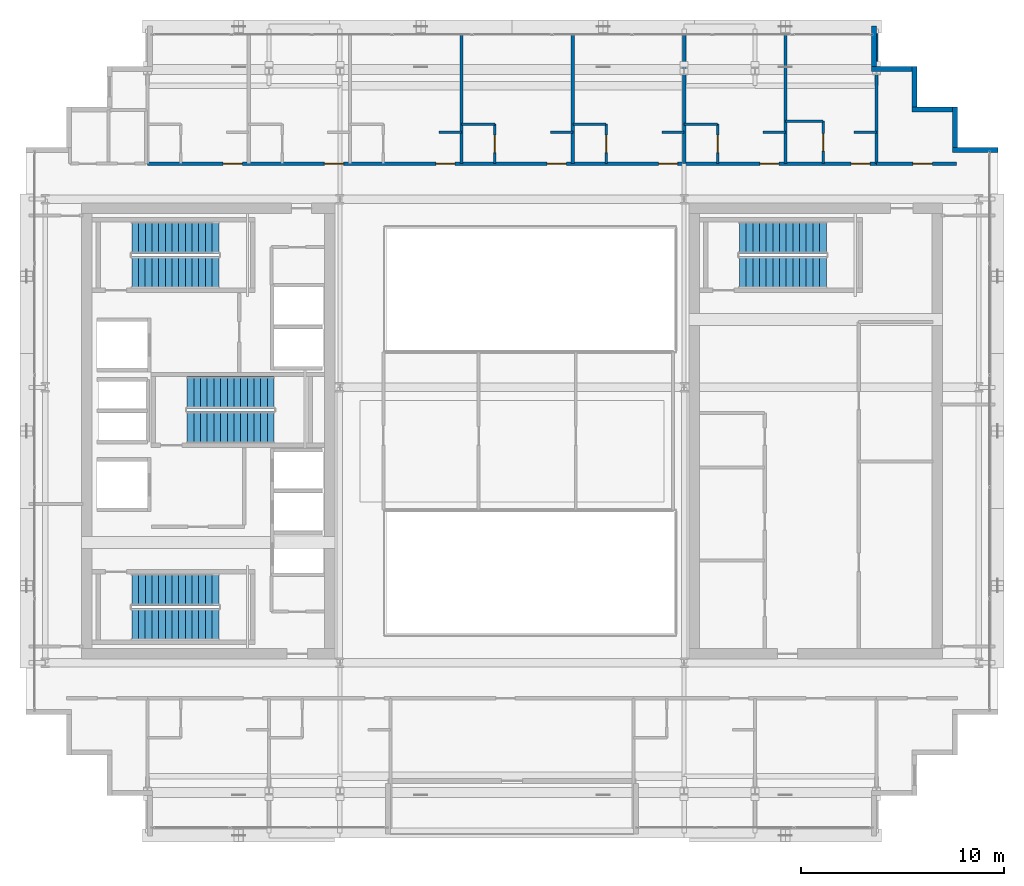
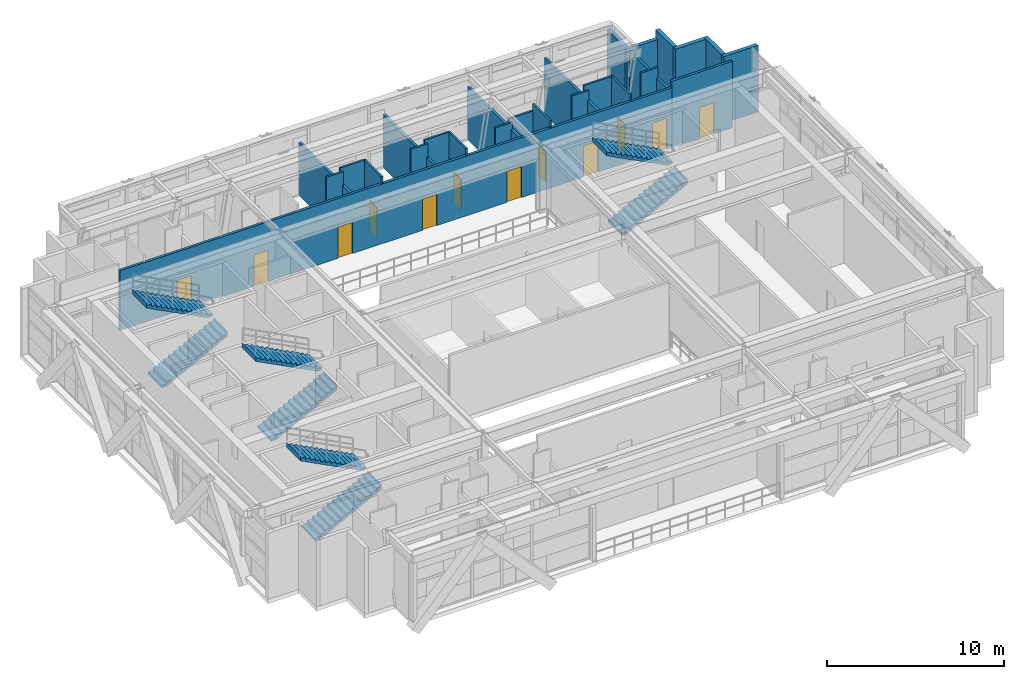
# One storey, part 27 of 31: 26 walls, 12 doors, 8 stair flights, 12 openings, 4 elements without a shape of their own.
"""IFC4 building model written with IfcOpenShell, lengths in metres."""

from ifc_helpers import new_model, si_unit, direction, frame, frame_2d, origin, place, context, subcontext, project, spatial, polyline, rectangle, outline, extrude, source, transform, mapped, material, layer, layer_set, type_object, element, fill, aggregate, save


model = new_model("IFC4")

# Units and contexts
model_context = context("Model", 3, precision=1e-05, world=origin(), true_north=direction((0.0, 1.0)))
body_context = subcontext(model_context, "Body", "Model", "MODEL_VIEW")
ifc_project = project(units=[si_unit("LENGTHUNIT", "METRE"), si_unit("AREAUNIT", "SQUARE_METRE"), si_unit("VOLUMEUNIT", "CUBIC_METRE"), si_unit("PLANEANGLEUNIT", "RADIAN"), si_unit("MASSUNIT", "GRAM", prefix="KILO")], contexts=[model_context])

# Site, building, storey
site_placement = place(None, origin())
site = spatial("IfcSite", under=ifc_project, at=site_placement, CompositionType="ELEMENT")
building_placement = place(site_placement, origin())
building = spatial("IfcBuilding", under=site, at=building_placement, Name="Ocotamira Hotel", CompositionType="ELEMENT")
storey_placement = place(building_placement, frame((0.0, 0.0, 228.0)))
storey = spatial("IfcBuildingStorey", under=building, at=storey_placement, Name="L57", CompositionType="ELEMENT", Elevation=228.0)

# Walls
ifc_material_1 = material(Name="Precast concrete C45/55", Category="concrete")
ifc_layer_1 = layer(ifc_material_1, 0.25)
ifc_layer_set_1 = layer_set([ifc_layer_1], Name="Precast concrete C45/55")
wall_type_1 = type_object("IfcWallType", Name="WL-EXT-SER-250", PredefinedType="SOLIDWALL", material=ifc_layer_set_1)
wall_1_placement = place(storey_placement, frame((56.0, 39.875, 0.0), z_axis=(0.0, 0.0, 1.0), x_axis=(-1.0, 0.0, 0.0)))
element("IfcWall", 1, at=wall_1_placement, inside=storey, type_object=wall_type_1, Name="L57 Serrated Corner Wall 07", PredefinedType="SOLIDWALL", context=body_context, shape_type="SweptSolid", body=[
    extrude(rectangle(XDim=2.25, YDim=0.25, at=frame_2d((1.125, 0.0))), origin(), (0.0, 0.0, 1.0), 4.580078125),
])
for number, where, z_axis, x_axis, name in (
    (2, (53.875, 40.0, 0.0), (0.0, 0.0, 1.0), (0.0, 1.0, 0.0), "L57 Serrated Corner Wall 08"),
    (3, (53.75, 41.875, 0.0), (0.0, 0.0, 1.0), (-1.0, 0.0, 0.0), "L57 Serrated Corner Wall 09"),
    (4, (51.875, 42.0, 0.0), (0.0, 0.0, 1.0), (0.0, 1.0, 0.0), "L57 Serrated Corner Wall 10"),
):
    element("IfcWall", number, at=place(storey_placement, frame(where, z_axis=z_axis, x_axis=x_axis)), inside=storey, type_object=wall_type_1, Name=name, PredefinedType="SOLIDWALL", context=body_context, shape_type="SweptSolid", body=[
        extrude(rectangle(XDim=2.0, YDim=0.25, at=frame_2d((1.0, 0.0))), origin(), (0.0, 0.0, 1.0), 4.580078125),
    ])
for number, where, z_axis, x_axis, name in (
    (5, (51.75, 43.875, 0.0), (0.0, 0.0, 1.0), (-1.0, 0.0, 0.0), "L57 Serrated Corner Wall 11"),
    (6, (49.875, 44.0, 0.0), (0.0, 0.0, 1.0), (0.0, 1.0, 0.0), "L57 Serrated Corner Wall 12"),
):
    element("IfcWall", number, at=place(storey_placement, frame(where, z_axis=z_axis, x_axis=x_axis)), inside=storey, type_object=wall_type_1, Name=name, PredefinedType="SOLIDWALL", context=body_context, shape_type="SweptSolid", body=[
        extrude(rectangle(XDim=2.0, YDim=0.25, at=frame_2d((1.0, 0.0))), origin(), (0.0, 0.0, 1.0), 4.04296875),
    ])

# Wall, openings, doors
ifc_material_2 = material(Name="Acoustic double-layer fire gypsum board partition", Category="gypsum")
ifc_layer_2 = layer(ifc_material_2, 0.159912109375)
ifc_layer_set_2 = layer_set([ifc_layer_2], Name="Acoustic double-layer fire gypsum board partition")
wall_type_2 = type_object("IfcWallType", Name="WL-FIRE-160", PredefinedType="PARTITIONING", material=ifc_layer_set_2)
wall_2_placement = place(storey_placement, frame((14.0, 39.199951171875, 0.0), z_axis=(0.0, 0.0, 1.0), x_axis=(1.0, 0.0, 0.0)))
wall_2 = element("IfcWall", 7, at=wall_2_placement, inside=storey, type_object=wall_type_2, Name="L57 Interior Wall PW-L57-L57N-CORRW", PredefinedType="PARTITIONING", context=body_context, shape_type="SweptSolid", body=[
    extrude(rectangle(XDim=36.0, YDim=0.159912109375, at=frame_2d((18.0, 0.0))), origin(), (0.0, 0.0, 1.0), 4.123046875),
])
opening_1_placement = place(wall_2_placement, frame((3.739990234375, 0.0, 0.0)))
opening_1 = element("IfcOpeningElement", 8, at=opening_1_placement, cuts=wall_2, Name="Opening D-GR1", PredefinedType="OPENING", context=body_context, shape_type="SweptSolid", body=[
    extrude(rectangle(XDim=0.93994140625, YDim=2.14990234375, at=frame_2d((0.469970703125, 1.074951171875))), frame((0.0, 0.08984375, 0.0), z_axis=(0.0, -1.0, 0.0), x_axis=(1.0, 0.0, 0.0)), (0.0, 0.0, 1.0), 0.179931640625),
])
opening_2_placement = place(wall_2_placement, frame((8.739990234375, 0.0, 0.0)))
opening_2 = element("IfcOpeningElement", 9, at=opening_2_placement, cuts=wall_2, Name="Opening D-GR1", PredefinedType="OPENING", context=body_context, shape_type="SweptSolid", body=[
    extrude(rectangle(XDim=0.93994140625, YDim=2.14990234375, at=frame_2d((0.469970703125, 1.074951171875))), frame((0.0, 0.08984375, 0.0), z_axis=(0.0, -1.0, 0.0), x_axis=(1.0, 0.0, 0.0)), (0.0, 0.0, 1.0), 0.179931640625),
])
opening_3_placement = place(wall_2_placement, frame((14.239990234375, 0.0, 0.0)))
opening_3 = element("IfcOpeningElement", 10, at=opening_3_placement, cuts=wall_2, Name="Opening D-GR1", PredefinedType="OPENING", context=body_context, shape_type="SweptSolid", body=[
    extrude(rectangle(XDim=0.93994140625, YDim=2.14990234375, at=frame_2d((0.469970703125, 1.074951171875))), frame((0.0, 0.08984375, 0.0), z_axis=(0.0, -1.0, 0.0), x_axis=(1.0, 0.0, 0.0)), (0.0, 0.0, 1.0), 0.179931640625),
])
opening_4_placement = place(wall_2_placement, frame((19.739990234375, 0.0, 0.0)))
opening_4 = element("IfcOpeningElement", 11, at=opening_4_placement, cuts=wall_2, Name="Opening D-GR1", PredefinedType="OPENING", context=body_context, shape_type="SweptSolid", body=[
    extrude(rectangle(XDim=0.93994140625, YDim=2.14990234375, at=frame_2d((0.469970703125, 1.074951171875))), frame((0.0, 0.08984375, 0.0), z_axis=(0.0, -1.0, 0.0), x_axis=(1.0, 0.0, 0.0)), (0.0, 0.0, 1.0), 0.179931640625),
])
opening_5_placement = place(wall_2_placement, frame((25.239990234375, 0.0, 0.0)))
opening_5 = element("IfcOpeningElement", 12, at=opening_5_placement, cuts=wall_2, Name="Opening D-GR1", PredefinedType="OPENING", context=body_context, shape_type="SweptSolid", body=[
    extrude(rectangle(XDim=0.93994140625, YDim=2.14990234375, at=frame_2d((0.469970703125, 1.074951171875))), frame((0.0, 0.08984375, 0.0), z_axis=(0.0, -1.0, 0.0), x_axis=(1.0, 0.0, 0.0)), (0.0, 0.0, 1.0), 0.179931640625),
])
opening_6_placement = place(wall_2_placement, frame((30.239990234375, 0.0, 0.0)))
opening_6 = element("IfcOpeningElement", 13, at=opening_6_placement, cuts=wall_2, Name="Opening D-GR1", PredefinedType="OPENING", context=body_context, shape_type="SweptSolid", body=[
    extrude(rectangle(XDim=0.93994140625, YDim=2.14990234375, at=frame_2d((0.469970703125, 1.074951171875))), frame((0.0, 0.08984375, 0.0), z_axis=(0.0, -1.0, 0.0), x_axis=(1.0, 0.0, 0.0)), (0.0, 0.0, 1.0), 0.179931640625),
])
opening_7_placement = place(wall_2_placement, frame((34.739990234375, 0.0, 0.0)))
opening_7 = element("IfcOpeningElement", 14, at=opening_7_placement, cuts=wall_2, Name="Opening D-GR1", PredefinedType="OPENING", context=body_context, shape_type="SweptSolid", body=[
    extrude(rectangle(XDim=0.93994140625, YDim=2.14990234375, at=frame_2d((0.469970703125, 1.074951171875))), frame((0.0, 0.08984375, 0.0), z_axis=(0.0, -1.0, 0.0), x_axis=(1.0, 0.0, 0.0)), (0.0, 0.0, 1.0), 0.179931640625),
])
ifc_material_3 = material(Name="Solid-core walnut suite entrance fire door", Category="wood")
door_type_1 = type_object("IfcDoorType", Name="DR-GUEST-940", OperationType="NOTDEFINED", PredefinedType="DOOR", material=ifc_material_3)
shared_shape_1 = source(origin(), body_context, "Body", "SweptSolid", [
    extrude(rectangle(XDim=0.93994140625, YDim=2.14990234375, at=frame_2d((0.469970703125, 1.074951171875))), frame((0.0, 0.02490234375, 0.0), z_axis=(0.0, -1.0, 0.0), x_axis=(1.0, 0.0, 0.0)), (0.0, 0.0, 1.0), 0.050048828125),
])
door_1_placement = place(opening_1_placement, origin())
door_1 = element("IfcDoor", 15, at=door_1_placement, inside=storey, type_object=door_type_1, Name="L57 Door ID-L57-L57N-RMD1 [ID-L57-L57N-RMD1]", OperationType="SINGLE_SWING_LEFT", OverallHeight=2.14990234375, OverallWidth=0.93994140625, PredefinedType="DOOR", context=body_context, shape_type="MappedRepresentation", body=[
    mapped(shared_shape_1, transform((0.0, 0.0, 0.0), scale=1.0)),
])
fill(opening_1, door_1)
door_2_placement = place(opening_2_placement, origin())
door_2 = element("IfcDoor", 16, at=door_2_placement, inside=storey, type_object=door_type_1, Name="L57 Door ID-L57-L57N-RMD2 [ID-L57-L57N-RMD2]", OperationType="SINGLE_SWING_RIGHT", OverallHeight=2.14990234375, OverallWidth=0.93994140625, PredefinedType="DOOR", context=body_context, shape_type="MappedRepresentation", body=[
    mapped(shared_shape_1, transform((0.0, 0.0, 0.0), scale=1.0)),
])
fill(opening_2, door_2)
door_3_placement = place(opening_3_placement, origin())
door_3 = element("IfcDoor", 17, at=door_3_placement, inside=storey, type_object=door_type_1, Name="L57 Door ID-L57-L57N-RMD3 [ID-L57-L57N-RMD3]", OperationType="SINGLE_SWING_LEFT", OverallHeight=2.14990234375, OverallWidth=0.93994140625, PredefinedType="DOOR", context=body_context, shape_type="MappedRepresentation", body=[
    mapped(shared_shape_1, transform((0.0, 0.0, 0.0), scale=1.0)),
])
fill(opening_3, door_3)
door_4_placement = place(opening_4_placement, origin())
door_4 = element("IfcDoor", 18, at=door_4_placement, inside=storey, type_object=door_type_1, Name="L57 Door ID-L57-L57N-RMD4 [ID-L57-L57N-RMD4]", OperationType="SINGLE_SWING_RIGHT", OverallHeight=2.14990234375, OverallWidth=0.93994140625, PredefinedType="DOOR", context=body_context, shape_type="MappedRepresentation", body=[
    mapped(shared_shape_1, transform((0.0, 0.0, 0.0), scale=1.0)),
])
fill(opening_4, door_4)
door_5_placement = place(opening_5_placement, origin())
door_5 = element("IfcDoor", 19, at=door_5_placement, inside=storey, type_object=door_type_1, Name="L57 Door ID-L57-L57N-RMD5 [ID-L57-L57N-RMD5]", OperationType="SINGLE_SWING_LEFT", OverallHeight=2.14990234375, OverallWidth=0.93994140625, PredefinedType="DOOR", context=body_context, shape_type="MappedRepresentation", body=[
    mapped(shared_shape_1, transform((0.0, 0.0, 0.0), scale=1.0)),
])
fill(opening_5, door_5)
door_6_placement = place(opening_6_placement, origin())
door_6 = element("IfcDoor", 20, at=door_6_placement, inside=storey, type_object=door_type_1, Name="L57 Door ID-L57-L57N-RMD6 [ID-L57-L57N-RMD6]", OperationType="SINGLE_SWING_RIGHT", OverallHeight=2.14990234375, OverallWidth=0.93994140625, PredefinedType="DOOR", context=body_context, shape_type="MappedRepresentation", body=[
    mapped(shared_shape_1, transform((0.0, 0.0, 0.0), scale=1.0)),
])
fill(opening_6, door_6)
door_7_placement = place(opening_7_placement, origin())
door_7 = element("IfcDoor", 21, at=door_7_placement, inside=storey, type_object=door_type_1, Name="L57 Door ID-L57-L57N-RMD7 [ID-L57-L57N-RMD7]", OperationType="SINGLE_SWING_LEFT", OverallHeight=2.14990234375, OverallWidth=0.93994140625, PredefinedType="DOOR", context=body_context, shape_type="MappedRepresentation", body=[
    mapped(shared_shape_1, transform((0.0, 0.0, 0.0), scale=1.0)),
])
fill(opening_7, door_7)

# Wall, opening, door
wall_3_placement = place(storey_placement, frame((50.0, 39.199951171875, 0.0), z_axis=(0.0, 0.0, 1.0), x_axis=(1.0, 0.0, 0.0)))
wall_3 = element("IfcWall", 22, at=wall_3_placement, inside=storey, type_object=wall_type_2, Name="L57 Interior Wall PW-L57-L57-CNESW", PredefinedType="PARTITIONING", context=body_context, shape_type="SweptSolid", body=[
    extrude(rectangle(XDim=3.949951171875, YDim=0.159912109375, at=frame_2d((1.97509765625, 0.0))), origin(), (0.0, 0.0, 1.0), 4.580078125),
])
opening_8_placement = place(wall_3_placement, frame((1.800048828125, 0.0, 0.0)))
opening_8 = element("IfcOpeningElement", 23, at=opening_8_placement, cuts=wall_3, Name="Opening D-SV4", PredefinedType="OPENING", context=body_context, shape_type="SweptSolid", body=[
    extrude(rectangle(XDim=0.9599609375, YDim=2.14990234375, at=frame_2d((0.47998046875, 1.074951171875))), frame((0.0, 0.08984375, 0.0), z_axis=(0.0, -1.0, 0.0), x_axis=(1.0, 0.0, 0.0)), (0.0, 0.0, 1.0), 0.179931640625),
])
ifc_material_4 = material(Name="Fire-rated accessible walnut salon door", Category="wood")
door_type_2 = type_object("IfcDoorType", Name="DR-SERV-960", OperationType="NOTDEFINED", PredefinedType="DOOR", material=ifc_material_4)
shared_shape_2 = source(origin(), body_context, "Body", "SweptSolid", [
    extrude(rectangle(XDim=0.9599609375, YDim=2.14990234375, at=frame_2d((0.47998046875, 1.074951171875))), frame((0.0, 0.02490234375, 0.0), z_axis=(0.0, -1.0, 0.0), x_axis=(1.0, 0.0, 0.0)), (0.0, 0.0, 1.0), 0.050048828125),
])
door_8_placement = place(opening_8_placement, origin())
door_8 = element("IfcDoor", 24, at=door_8_placement, inside=storey, type_object=door_type_2, Name="L57 Door ID-L57-L57-CNESD [ID-L57-L57-CNESD]", OperationType="SINGLE_SWING_LEFT", OverallHeight=2.14990234375, OverallWidth=0.9599609375, PredefinedType="DOOR", context=body_context, shape_type="MappedRepresentation", body=[
    mapped(shared_shape_2, transform((0.0, 0.0, 0.0), scale=1.0)),
])
fill(opening_8, door_8)

# Wall
ifc_material_5 = material(Name="Moisture-resistant en-suite tile and gypsum partition", Category="gypsum")
ifc_layer_3 = layer(ifc_material_5, 0.1201171875)
ifc_layer_set_3 = layer_set([ifc_layer_3], Name="Moisture-resistant en-suite tile and gypsum partition")
wall_type_3 = type_object("IfcWallType", Name="WL-PART-120", PredefinedType="PARTITIONING", material=ifc_layer_set_3)
wall_4_placement = place(storey_placement, frame((28.39990234375, 40.75, 0.0), z_axis=(0.0, 0.0, 1.0), x_axis=(1.0, 0.0, 0.0)))
element("IfcWall", 25, at=wall_4_placement, inside=storey, type_object=wall_type_3, Name="L57 Interior Wall PW-L57-L57N-DRN3", PredefinedType="PARTITIONING", context=body_context, shape_type="SweptSolid", body=[
    extrude(rectangle(XDim=1.10009765625, YDim=0.1201171875, at=frame_2d((0.550048828125, 0.0))), origin(), (0.0, 0.0, 1.0), 4.580078125),
])

# Wall, opening, door
wall_5_placement = place(storey_placement, frame((31.14990234375, 39.199951171875, 0.0), z_axis=(0.0, 0.0, 1.0), x_axis=(0.0, 1.0, 0.0)))
wall_5 = element("IfcWall", 26, at=wall_5_placement, inside=storey, type_object=wall_type_3, Name="L57 Interior Wall PW-L57-L57N-BAE4", PredefinedType="PARTITIONING", context=body_context, shape_type="SweptSolid", body=[
    extrude(rectangle(XDim=1.949951171875, YDim=0.1201171875, at=frame_2d((0.97509765625, 0.0))), origin(), (0.0, 0.0, 1.0), 4.580078125),
])
opening_9_placement = place(wall_5_placement, frame((0.544921875, 0.0, 0.0)))
opening_9 = element("IfcOpeningElement", 27, at=opening_9_placement, cuts=wall_5, Name="Opening D-BA1", PredefinedType="OPENING", context=body_context, shape_type="SweptSolid", body=[
    extrude(rectangle(XDim=0.860107421875, YDim=2.10009765625, at=frame_2d((0.43017578125, 1.050048828125))), frame((0.0, 0.070068359375, 0.0), z_axis=(0.0, -1.0, 0.0), x_axis=(1.0, 0.0, 0.0)), (0.0, 0.0, 1.0), 0.14013671875),
])
ifc_material_6 = material(Name="Moisture-sealed en-suite timber door", Category="wood")
door_type_3 = type_object("IfcDoorType", Name="DR-BATH-860", OperationType="NOTDEFINED", PredefinedType="DOOR", material=ifc_material_6)
shared_shape_3 = source(origin(), body_context, "Body", "SweptSolid", [
    extrude(rectangle(XDim=0.860107421875, YDim=2.10009765625, at=frame_2d((0.43017578125, 1.050048828125))), frame((0.0, 0.02490234375, 0.0), z_axis=(0.0, -1.0, 0.0), x_axis=(1.0, 0.0, 0.0)), (0.0, 0.0, 1.0), 0.050048828125),
])
door_9_placement = place(opening_9_placement, origin())
door_9 = element("IfcDoor", 28, at=door_9_placement, inside=storey, type_object=door_type_3, Name="L57 Door ID-L57-L57N-BAD4 [ID-L57-L57N-BAD4]", OperationType="SINGLE_SWING_LEFT", OverallHeight=2.10009765625, OverallWidth=0.860107421875, PredefinedType="DOOR", context=body_context, shape_type="MappedRepresentation", body=[
    mapped(shared_shape_3, transform((0.0, 0.0, 0.0), scale=1.0)),
])
fill(opening_9, door_9)

# Walls
wall_6_placement = place(storey_placement, frame((29.5, 41.14990234375, 0.0), z_axis=(0.0, 0.0, 1.0), x_axis=(1.0, 0.0, 0.0)))
element("IfcWall", 29, at=wall_6_placement, inside=storey, type_object=wall_type_3, Name="L57 Interior Wall PW-L57-L57N-BAN4", PredefinedType="PARTITIONING", context=body_context, shape_type="SweptSolid", body=[
    extrude(rectangle(XDim=1.64990234375, YDim=0.1201171875, at=frame_2d((0.824951171875, 0.0))), origin(), (0.0, 0.0, 1.0), 4.580078125),
])
wall_7_placement = place(storey_placement, frame((33.89990234375, 40.75, 0.0), z_axis=(0.0, 0.0, 1.0), x_axis=(1.0, 0.0, 0.0)))
element("IfcWall", 30, at=wall_7_placement, inside=storey, type_object=wall_type_3, Name="L57 Interior Wall PW-L57-L57N-DRN4", PredefinedType="PARTITIONING", context=body_context, shape_type="SweptSolid", body=[
    extrude(rectangle(XDim=1.10009765625, YDim=0.1201171875, at=frame_2d((0.550048828125, 0.0))), origin(), (0.0, 0.0, 1.0), 4.580078125),
])

# Wall, opening, door
wall_8_placement = place(storey_placement, frame((36.64990234375, 39.199951171875, 0.0), z_axis=(0.0, 0.0, 1.0), x_axis=(0.0, 1.0, 0.0)))
wall_8 = element("IfcWall", 31, at=wall_8_placement, inside=storey, type_object=wall_type_3, Name="L57 Interior Wall PW-L57-L57N-BAE5", PredefinedType="PARTITIONING", context=body_context, shape_type="SweptSolid", body=[
    extrude(rectangle(XDim=1.949951171875, YDim=0.1201171875, at=frame_2d((0.97509765625, 0.0))), origin(), (0.0, 0.0, 1.0), 4.580078125),
])
opening_10_placement = place(wall_8_placement, frame((0.544921875, 0.0, 0.0)))
opening_10 = element("IfcOpeningElement", 32, at=opening_10_placement, cuts=wall_8, Name="Opening D-BA1", PredefinedType="OPENING", context=body_context, shape_type="SweptSolid", body=[
    extrude(rectangle(XDim=0.860107421875, YDim=2.10009765625, at=frame_2d((0.43017578125, 1.050048828125))), frame((0.0, 0.070068359375, 0.0), z_axis=(0.0, -1.0, 0.0), x_axis=(1.0, 0.0, 0.0)), (0.0, 0.0, 1.0), 0.14013671875),
])
door_10_placement = place(opening_10_placement, origin())
door_10 = element("IfcDoor", 33, at=door_10_placement, inside=storey, type_object=door_type_3, Name="L57 Door ID-L57-L57N-BAD5 [ID-L57-L57N-BAD5]", OperationType="SINGLE_SWING_RIGHT", OverallHeight=2.10009765625, OverallWidth=0.860107421875, PredefinedType="DOOR", context=body_context, shape_type="MappedRepresentation", body=[
    mapped(shared_shape_3, transform((0.0, 0.0, 0.0), scale=1.0)),
])
fill(opening_10, door_10)

# Walls
wall_9_placement = place(storey_placement, frame((35.0, 41.14990234375, 0.0), z_axis=(0.0, 0.0, 1.0), x_axis=(1.0, 0.0, 0.0)))
element("IfcWall", 34, at=wall_9_placement, inside=storey, type_object=wall_type_3, Name="L57 Interior Wall PW-L57-L57N-BAN5", PredefinedType="PARTITIONING", context=body_context, shape_type="SweptSolid", body=[
    extrude(rectangle(XDim=1.64990234375, YDim=0.1201171875, at=frame_2d((0.824951171875, 0.0))), origin(), (0.0, 0.0, 1.0), 4.580078125),
])
wall_10_placement = place(storey_placement, frame((39.39990234375, 40.75, 0.0), z_axis=(0.0, 0.0, 1.0), x_axis=(1.0, 0.0, 0.0)))
element("IfcWall", 35, at=wall_10_placement, inside=storey, type_object=wall_type_3, Name="L57 Interior Wall PW-L57-L57N-DRN5", PredefinedType="PARTITIONING", context=body_context, shape_type="SweptSolid", body=[
    extrude(rectangle(XDim=1.10009765625, YDim=0.1201171875, at=frame_2d((0.550048828125, 0.0))), origin(), (0.0, 0.0, 1.0), 4.123046875),
])

# Wall, opening, door
wall_11_placement = place(storey_placement, frame((42.14990234375, 39.199951171875, 0.0), z_axis=(0.0, 0.0, 1.0), x_axis=(0.0, 1.0, 0.0)))
wall_11 = element("IfcWall", 36, at=wall_11_placement, inside=storey, type_object=wall_type_3, Name="L57 Interior Wall PW-L57-L57N-BAE6", PredefinedType="PARTITIONING", context=body_context, shape_type="SweptSolid", body=[
    extrude(rectangle(XDim=1.949951171875, YDim=0.1201171875, at=frame_2d((0.97509765625, 0.0))), origin(), (0.0, 0.0, 1.0), 4.580078125),
])
opening_11_placement = place(wall_11_placement, frame((0.544921875, 0.0, 0.0)))
opening_11 = element("IfcOpeningElement", 37, at=opening_11_placement, cuts=wall_11, Name="Opening D-BA1", PredefinedType="OPENING", context=body_context, shape_type="SweptSolid", body=[
    extrude(rectangle(XDim=0.860107421875, YDim=2.10009765625, at=frame_2d((0.43017578125, 1.050048828125))), frame((0.0, 0.070068359375, 0.0), z_axis=(0.0, -1.0, 0.0), x_axis=(1.0, 0.0, 0.0)), (0.0, 0.0, 1.0), 0.14013671875),
])
door_11_placement = place(opening_11_placement, origin())
door_11 = element("IfcDoor", 38, at=door_11_placement, inside=storey, type_object=door_type_3, Name="L57 Door ID-L57-L57N-BAD6 [ID-L57-L57N-BAD6]", OperationType="SINGLE_SWING_LEFT", OverallHeight=2.10009765625, OverallWidth=0.860107421875, PredefinedType="DOOR", context=body_context, shape_type="MappedRepresentation", body=[
    mapped(shared_shape_3, transform((0.0, 0.0, 0.0), scale=1.0)),
])
fill(opening_11, door_11)

# Walls
wall_12_placement = place(storey_placement, frame((40.5, 41.14990234375, 0.0), z_axis=(0.0, 0.0, 1.0), x_axis=(1.0, 0.0, 0.0)))
element("IfcWall", 39, at=wall_12_placement, inside=storey, type_object=wall_type_3, Name="L57 Interior Wall PW-L57-L57N-BAN6", PredefinedType="PARTITIONING", context=body_context, shape_type="SweptSolid", body=[
    extrude(rectangle(XDim=1.64990234375, YDim=0.1201171875, at=frame_2d((0.824951171875, 0.0))), origin(), (0.0, 0.0, 1.0), 4.123046875),
])
wall_13_placement = place(storey_placement, frame((44.39990234375, 40.75, 0.0), z_axis=(0.0, 0.0, 1.0), x_axis=(1.0, 0.0, 0.0)))
element("IfcWall", 40, at=wall_13_placement, inside=storey, type_object=wall_type_3, Name="L57 Interior Wall PW-L57-L57N-DRN6", PredefinedType="PARTITIONING", context=body_context, shape_type="SweptSolid", body=[
    extrude(rectangle(XDim=1.10009765625, YDim=0.1201171875, at=frame_2d((0.550048828125, 0.0))), origin(), (0.0, 0.0, 1.0), 4.580078125),
])

# Wall, opening, door
wall_14_placement = place(storey_placement, frame((47.360107421875, 39.199951171875, 0.0), z_axis=(0.0, 0.0, 1.0), x_axis=(0.0, 1.0, 0.0)))
wall_14 = element("IfcWall", 41, at=wall_14_placement, inside=storey, type_object=wall_type_3, Name="L57 Interior Wall PW-L57-L57N-BAE7", PredefinedType="PARTITIONING", context=body_context, shape_type="SweptSolid", body=[
    extrude(rectangle(XDim=2.10009765625, YDim=0.1201171875, at=frame_2d((1.050048828125, 0.0))), origin(), (0.0, 0.0, 1.0), 4.580078125),
])
opening_12_placement = place(wall_14_placement, frame((0.6201171875, 0.0, 0.0)))
opening_12 = element("IfcOpeningElement", 42, at=opening_12_placement, cuts=wall_14, Name="Opening D-BA1", PredefinedType="OPENING", context=body_context, shape_type="SweptSolid", body=[
    extrude(rectangle(XDim=0.860107421875, YDim=2.10009765625, at=frame_2d((0.43017578125, 1.050048828125))), frame((0.0, 0.070068359375, 0.0), z_axis=(0.0, -1.0, 0.0), x_axis=(1.0, 0.0, 0.0)), (0.0, 0.0, 1.0), 0.14013671875),
])
door_12_placement = place(opening_12_placement, origin())
door_12 = element("IfcDoor", 43, at=door_12_placement, inside=storey, type_object=door_type_3, Name="L57 Door ID-L57-L57N-BAD7 [ID-L57-L57N-BAD7]", OperationType="SINGLE_SWING_RIGHT", OverallHeight=2.10009765625, OverallWidth=0.860107421875, PredefinedType="DOOR", context=body_context, shape_type="MappedRepresentation", body=[
    mapped(shared_shape_3, transform((0.0, 0.0, 0.0), scale=1.0)),
])
fill(opening_12, door_12)

# Walls
wall_15_placement = place(storey_placement, frame((45.5, 41.300048828125, 0.0), z_axis=(0.0, 0.0, 1.0), x_axis=(1.0, 0.0, 0.0)))
element("IfcWall", 44, at=wall_15_placement, inside=storey, type_object=wall_type_3, Name="L57 Interior Wall PW-L57-L57N-BAN7", PredefinedType="PARTITIONING", context=body_context, shape_type="SweptSolid", body=[
    extrude(rectangle(XDim=1.860107421875, YDim=0.1201171875, at=frame_2d((0.93017578125, 0.0))), origin(), (0.0, 0.0, 1.0), 4.580078125),
])
wall_16_placement = place(storey_placement, frame((48.89990234375, 40.75, 0.0), z_axis=(0.0, 0.0, 1.0), x_axis=(1.0, 0.0, 0.0)))
element("IfcWall", 45, at=wall_16_placement, inside=storey, type_object=wall_type_3, Name="L57 Interior Wall PW-L57-L57N-DRN7", PredefinedType="PARTITIONING", context=body_context, shape_type="SweptSolid", body=[
    extrude(rectangle(XDim=1.10009765625, YDim=0.1201171875, at=frame_2d((0.550048828125, 0.0))), origin(), (0.0, 0.0, 1.0), 4.580078125),
])
ifc_material_7 = material(Name="Acoustic double-stud hospitality gypsum partition", Category="gypsum")
ifc_layer_4 = layer(ifc_material_7, 0.159912109375)
ifc_layer_set_4 = layer_set([ifc_layer_4], Name="Acoustic double-stud hospitality gypsum partition")
wall_type_4 = type_object("IfcWallType", Name="WL-PART-160", PredefinedType="PARTITIONING", material=ifc_layer_set_4)
wall_17_placement = place(storey_placement, frame((50.0, 39.199951171875, 0.0), z_axis=(0.0, 0.0, 1.0), x_axis=(0.0, 1.0, 0.0)))
element("IfcWall", 46, at=wall_17_placement, inside=storey, type_object=wall_type_4, Name="L57 Interior Wall PW-L57-L57N-PWEND", PredefinedType="PARTITIONING", context=body_context, shape_type="SweptSolid", body=[
    extrude(rectangle(XDim=6.43994140625, YDim=0.159912109375, at=frame_2d((3.219970703125, 0.0))), origin(), (0.0, 0.0, 1.0), 3.886962890625),
])
for number, where, z_axis, x_axis, name in (
    (47, (29.5, 39.199951171875, 0.0), (0.0, 0.0, 1.0), (0.0, 1.0, 0.0), "L57 Interior Wall PW-L57-L57N-PW3"),
    (48, (35.0, 39.199951171875, 0.0), (0.0, 0.0, 1.0), (0.0, 1.0, 0.0), "L57 Interior Wall PW-L57-L57N-PW4"),
    (49, (40.5, 39.199951171875, 0.0), (0.0, 0.0, 1.0), (0.0, 1.0, 0.0), "L57 Interior Wall PW-L57-L57N-PW5"),
):
    element("IfcWall", number, at=place(storey_placement, frame(where, z_axis=z_axis, x_axis=x_axis)), inside=storey, type_object=wall_type_4, Name=name, PredefinedType="PARTITIONING", context=body_context, shape_type="SweptSolid", body=[
        extrude(rectangle(XDim=6.43994140625, YDim=0.159912109375, at=frame_2d((3.219970703125, 0.0))), origin(), (0.0, 0.0, 1.0), 3.653076171875),
    ])
wall_18_placement = place(storey_placement, frame((45.5, 39.199951171875, 0.0), z_axis=(0.0, 0.0, 1.0), x_axis=(0.0, 1.0, 0.0)))
element("IfcWall", 50, at=wall_18_placement, inside=storey, type_object=wall_type_4, Name="L57 Interior Wall PW-L57-L57N-PW6", PredefinedType="PARTITIONING", context=body_context, shape_type="SweptSolid", body=[
    extrude(rectangle(XDim=6.43994140625, YDim=0.159912109375, at=frame_2d((3.219970703125, 0.0))), origin(), (0.0, 0.0, 1.0), 3.886962890625),
])

# Stair, stair flights
ifc_material_8 = material(Name="Concrete C40/50", Category="concrete")
stair_type = type_object("IfcStairType", Name="ST-CORE-1560", PredefinedType="HALF_TURN_STAIR", material=ifc_material_8)
stair_1_placement = place(storey_placement, origin())
stair_1 = element("IfcStair", 51, at=stair_1_placement, inside=storey, type_object=stair_type, Name="L57 Exit Stair ST-1", PredefinedType="HALF_TURN_STAIR")
stair_flight_type = type_object("IfcStairFlightType", Name="STF-CORE-1560", PredefinedType="STRAIGHT", material=ifc_material_8)
shared_shape_4 = source(origin(), body_context, "Body", "SweptSolid", [
    extrude(outline(polyline([(-0.00390625, 0.0), (-0.00390625, 0.17138671875), (0.330078125, 0.17138671875), (0.330078125, 0.3427734375), (0.659912109375, 0.3427734375), (0.659912109375, 0.514404296875), (0.989990234375, 0.514404296875), (0.989990234375, 0.685791015625), (1.320068359375, 0.685791015625), (1.320068359375, 0.857177734375), (1.64990234375, 0.857177734375), (1.64990234375, 1.028564453125), (1.97998046875, 1.028564453125), (1.97998046875, 1.199951171875), (2.31005859375, 1.199951171875), (2.31005859375, 1.371337890625), (2.639892578125, 1.371337890625), (2.639892578125, 1.54296875), (2.969970703125, 1.54296875), (2.969970703125, 1.71435546875), (3.300048828125, 1.71435546875), (3.300048828125, 1.8857421875), (3.6298828125, 1.8857421875), (3.6298828125, 2.05712890625), (3.9599609375, 2.05712890625), (3.9599609375, 2.228515625), (4.2900390625, 2.228515625), (4.2900390625, 2.39990234375), (4.2939453125, 2.39990234375), (4.2939453125, 2.0595703125), (0.3251953125, 0.0), (-0.00390625, 0.0)])), frame((0.0, 0.780029296875, 0.0), z_axis=(0.0, -1.0, 0.0), x_axis=(1.0, 0.0, 0.0)), (0.0, 0.0, 1.0), 1.56005859375),
])
stair_flight_1_placement = place(storey_placement, frame((13.22998046875, 16.449951171875, 0.0), z_axis=(0.0, 0.0, 1.0), x_axis=(1.0, 0.0, 0.0)))
stair_flight_1 = element("IfcStairFlight", 52, at=stair_flight_1_placement, type_object=stair_flight_type, Name="ST-1 flight 1", NumberOfRisers=14, NumberOfTreads=13, PredefinedType="STRAIGHT", RiserHeight=0.171428571, TreadLength=0.33, context=body_context, shape_type="MappedRepresentation", body=[
    mapped(shared_shape_4, transform((0.0, 0.0, 0.0), scale=1.0)),
])
stair_flight_2_placement = place(storey_placement, frame((17.52001953125, 18.169921875, 2.39990234375), z_axis=(0.0, 0.0, 1.0), x_axis=(-1.0, 0.0, 0.0)))
stair_flight_2 = element("IfcStairFlight", 53, at=stair_flight_2_placement, type_object=stair_flight_type, Name="ST-1 flight 2", NumberOfRisers=14, NumberOfTreads=13, PredefinedType="STRAIGHT", RiserHeight=0.171428571, TreadLength=0.33, context=body_context, shape_type="MappedRepresentation", body=[
    mapped(shared_shape_4, transform((0.0, 0.0, 0.0), scale=1.0)),
])
aggregate(stair_1, [stair_flight_1, stair_flight_2])

stair_2_placement = place(storey_placement, origin())
stair_2 = element("IfcStair", 54, at=stair_2_placement, inside=storey, type_object=stair_type, Name="L57 Exit Stair ST-2", PredefinedType="HALF_TURN_STAIR")
stair_flight_3_placement = place(storey_placement, frame((13.22998046875, 33.830078125, 0.0), z_axis=(0.0, 0.0, 1.0), x_axis=(1.0, 0.0, 0.0)))
stair_flight_3 = element("IfcStairFlight", 55, at=stair_flight_3_placement, type_object=stair_flight_type, Name="ST-2 flight 1", NumberOfRisers=14, NumberOfTreads=13, PredefinedType="STRAIGHT", RiserHeight=0.171428571, TreadLength=0.33, context=body_context, shape_type="MappedRepresentation", body=[
    mapped(shared_shape_4, transform((0.0, 0.0, 0.0), scale=1.0)),
])
stair_flight_4_placement = place(storey_placement, frame((17.52001953125, 35.550048828125, 2.39990234375), z_axis=(0.0, 0.0, 1.0), x_axis=(-1.0, 0.0, 0.0)))
stair_flight_4 = element("IfcStairFlight", 56, at=stair_flight_4_placement, type_object=stair_flight_type, Name="ST-2 flight 2", NumberOfRisers=14, NumberOfTreads=13, PredefinedType="STRAIGHT", RiserHeight=0.171428571, TreadLength=0.33, context=body_context, shape_type="MappedRepresentation", body=[
    mapped(shared_shape_4, transform((0.0, 0.0, 0.0), scale=1.0)),
])
aggregate(stair_2, [stair_flight_3, stair_flight_4])

stair_3_placement = place(storey_placement, origin())
stair_3 = element("IfcStair", 57, at=stair_3_placement, inside=storey, type_object=stair_type, Name="L57 Exit Stair ST-3", PredefinedType="HALF_TURN_STAIR")
stair_flight_5_placement = place(storey_placement, frame((15.9599609375, 26.179931640625, 0.0), z_axis=(0.0, 0.0, 1.0), x_axis=(1.0, 0.0, 0.0)))
stair_flight_5 = element("IfcStairFlight", 58, at=stair_flight_5_placement, type_object=stair_flight_type, Name="ST-3 flight 1", NumberOfRisers=14, NumberOfTreads=13, PredefinedType="STRAIGHT", RiserHeight=0.171428571, TreadLength=0.33, context=body_context, shape_type="MappedRepresentation", body=[
    mapped(shared_shape_4, transform((0.0, 0.0, 0.0), scale=1.0)),
])
stair_flight_6_placement = place(storey_placement, frame((20.25, 27.89990234375, 2.39990234375), z_axis=(0.0, 0.0, 1.0), x_axis=(-1.0, 0.0, 0.0)))
stair_flight_6 = element("IfcStairFlight", 59, at=stair_flight_6_placement, type_object=stair_flight_type, Name="ST-3 flight 2", NumberOfRisers=14, NumberOfTreads=13, PredefinedType="STRAIGHT", RiserHeight=0.171428571, TreadLength=0.33, context=body_context, shape_type="MappedRepresentation", body=[
    mapped(shared_shape_4, transform((0.0, 0.0, 0.0), scale=1.0)),
])
aggregate(stair_3, [stair_flight_5, stair_flight_6])

stair_4_placement = place(storey_placement, origin())
stair_4 = element("IfcStair", 60, at=stair_4_placement, inside=storey, type_object=stair_type, Name="L57 Exit Stair ST-4", PredefinedType="HALF_TURN_STAIR")
stair_flight_7_placement = place(storey_placement, frame((43.22998046875, 33.830078125, 0.0), z_axis=(0.0, 0.0, 1.0), x_axis=(1.0, 0.0, 0.0)))
stair_flight_7 = element("IfcStairFlight", 61, at=stair_flight_7_placement, type_object=stair_flight_type, Name="ST-4 flight 1", NumberOfRisers=14, NumberOfTreads=13, PredefinedType="STRAIGHT", RiserHeight=0.171428571, TreadLength=0.33, context=body_context, shape_type="MappedRepresentation", body=[
    mapped(shared_shape_4, transform((0.0, 0.0, 0.0), scale=1.0)),
])
stair_flight_8_placement = place(storey_placement, frame((47.52001953125, 35.550048828125, 2.39990234375), z_axis=(0.0, 0.0, 1.0), x_axis=(-1.0, 0.0, 0.0)))
stair_flight_8 = element("IfcStairFlight", 62, at=stair_flight_8_placement, type_object=stair_flight_type, Name="ST-4 flight 2", NumberOfRisers=14, NumberOfTreads=13, PredefinedType="STRAIGHT", RiserHeight=0.171428571, TreadLength=0.33, context=body_context, shape_type="MappedRepresentation", body=[
    mapped(shared_shape_4, transform((0.0, 0.0, 0.0), scale=1.0)),
])
aggregate(stair_4, [stair_flight_7, stair_flight_8])

save(model, "model.ifc")
